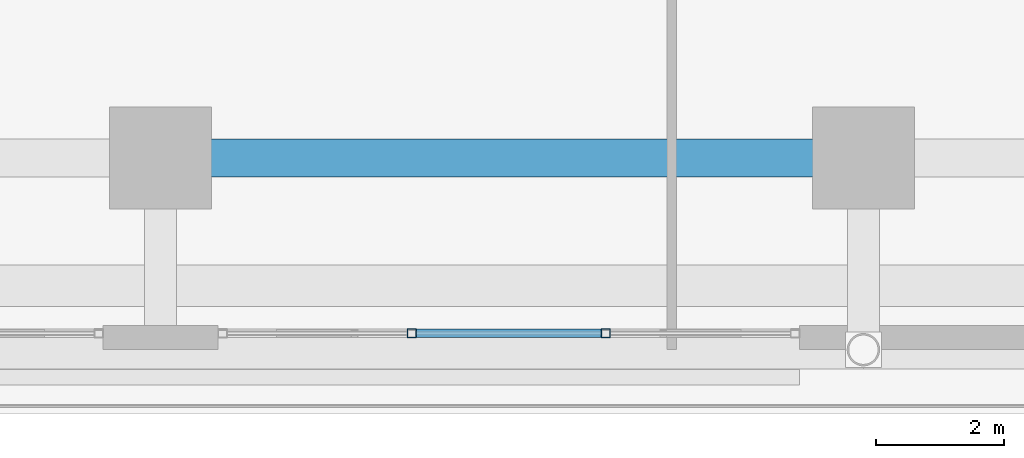
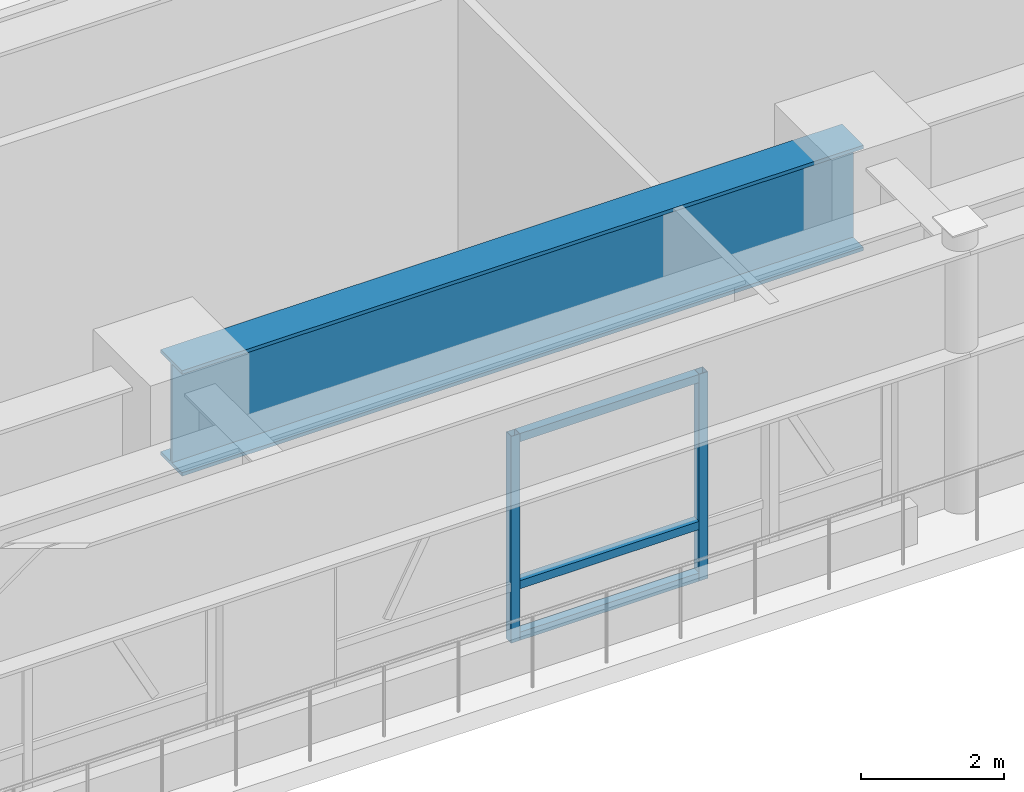
# One storey, part 14 of 38: 5 members, 1 beam, 1 element without a shape of its own.
"""IFC4 building model written with IfcOpenShell, lengths in metres."""

from ifc_helpers import new_model, si_unit, direction, frame, origin, origin_2d, place, context, subcontext, project, spatial, hollow_rectangle, i_section, extrude, source, transform, mapped, material, material_profile, profile_set, type_object, element, aggregate, save


model = new_model("IFC4")

# Units and contexts
model_context = context("Model", 3, precision=1e-05, world=origin(), true_north=direction((0.0, 1.0)))
body_context = subcontext(model_context, "Body", "Model", "MODEL_VIEW")
ifc_project = project(units=[si_unit("LENGTHUNIT", "METRE"), si_unit("AREAUNIT", "SQUARE_METRE"), si_unit("VOLUMEUNIT", "CUBIC_METRE"), si_unit("PLANEANGLEUNIT", "RADIAN"), si_unit("MASSUNIT", "GRAM", prefix="KILO")], contexts=[model_context])

# Site, building, storey
site_placement = place(None, origin())
site = spatial("IfcSite", under=ifc_project, at=site_placement, CompositionType="ELEMENT")
building_placement = place(site_placement, origin())
building = spatial("IfcBuilding", under=site, at=building_placement, Name="Khorayat Bourse Tower", CompositionType="ELEMENT")
storey_placement = place(building_placement, frame((0.0, 0.0, 17.39990234375)))
storey = spatial("IfcBuildingStorey", under=building, at=storey_placement, Name="L03", CompositionType="ELEMENT", Elevation=17.39990234375)

# Beam
ifc_material_1 = material(Name="Steel EN 10025-4 S460M", Category="steel")
ifc_material_profile_1 = material_profile(ifc_material_1, i_section(OverallWidth=0.60009765625, OverallDepth=1.800048828125, WebThickness=0.031982421875, FlangeThickness=0.06005859375, at=origin_2d()), Name="PG 1800x600x32x60")
ifc_profile_set_1 = profile_set([ifc_material_profile_1], Name="Steel EN 10025-4 S460M")
beam_type = type_object("IfcBeamType", Name="BM-TR-1800", PredefinedType="BEAM", material=ifc_profile_set_1)
shared_shape_1 = source(origin(), body_context, "Body", "SweptSolid", [
    extrude(i_section(OverallWidth=0.60009765625, OverallDepth=1.800048828125, WebThickness=0.031982421875, FlangeThickness=0.06005859375, at=origin_2d()), origin(), (0.0, 0.0, 1.0), 11.0),
])
beam_placement = place(storey_placement, frame((0.0, -32.0, 3.580078125), z_axis=(1.0, 0.0, 0.0), x_axis=(0.0, 1.0, 0.0)))
element("IfcBeam", 1, at=beam_placement, inside=storey, type_object=beam_type, Name="L03 BM-TR-1800 BM-L03-PGX-040", PredefinedType="BEAM", context=body_context, shape_type="MappedRepresentation", body=[
    mapped(shared_shape_1, transform((0.0, 0.0, 0.0), scale=1.0)),
])

# Curtain wall, members
ifc_material_2 = material(Name="Aluminium EN AW-6063 T6", Category="aluminium")
curtain_wall_type = type_object("IfcCurtainWallType", Name="CW-SYS-01", PredefinedType="NOTDEFINED", material=ifc_material_2)
curtain_wall_placement = place(storey_placement, origin())
curtain_wall = element("IfcCurtainWall", 2, at=curtain_wall_placement, inside=storey, type_object=curtain_wall_type, Name="L03 Curtain Wall CW-L03-SE", PredefinedType="NOTDEFINED")
ifc_material_profile_2 = material_profile(ifc_material_2, hollow_rectangle(XDim=0.139892578125, YDim=0.139892578125, WallThickness=0.006103515625, at=origin_2d()), Name="ALU 140x140x6")
ifc_profile_set_2 = profile_set([ifc_material_profile_2], Name="Aluminium EN AW-6063 T6")
member_type_1 = type_object("IfcMemberType", Name="CWT-HORZ-140", PredefinedType="USERDEFINED", material=ifc_profile_set_2)
shared_shape_2 = source(origin(), body_context, "Body", "SweptSolid", [
    extrude(hollow_rectangle(XDim=0.139892578125, YDim=0.139892578125, WallThickness=0.006103515625, at=origin_2d()), origin(), (0.0, 0.0, 1.0), 2.893310546875),
])
member_1_placement = place(storey_placement, frame((4.00341796875, -34.742919921875, 0.070068359375), z_axis=(1.0, 0.0, 0.0), x_axis=(0.0, 1.0, 0.0)))
member_1 = element("IfcMember", 3, at=member_1_placement, type_object=member_type_1, Name="CW-L03-SE Horizontal Transom 2-1", ObjectType="TRANSOM", PredefinedType="USERDEFINED", context=body_context, shape_type="MappedRepresentation", body=[
    mapped(shared_shape_2, transform((0.0, 0.0, 0.0), scale=1.0)),
])
member_2_placement = place(storey_placement, frame((4.00341796875, -34.742919921875, 0.9501953125), z_axis=(1.0, 0.0, 0.0), x_axis=(0.0, 1.0, 0.0)))
member_2 = element("IfcMember", 4, at=member_2_placement, type_object=member_type_1, Name="CW-L03-SE Horizontal Transom 2-2", ObjectType="TRANSOM", PredefinedType="USERDEFINED", context=body_context, shape_type="MappedRepresentation", body=[
    mapped(shared_shape_2, transform((0.0, 0.0, 0.0), scale=1.0)),
])
member_3_placement = place(storey_placement, frame((4.00341796875, -34.742919921875, 3.460205078125), z_axis=(1.0, 0.0, 0.0), x_axis=(0.0, 1.0, 0.0)))
member_3 = element("IfcMember", 5, at=member_3_placement, type_object=member_type_1, Name="CW-L03-SE Horizontal Transom 2-3", ObjectType="TRANSOM", PredefinedType="USERDEFINED", context=body_context, shape_type="MappedRepresentation", body=[
    mapped(shared_shape_2, transform((0.0, 0.0, 0.0), scale=1.0)),
])
ifc_material_profile_3 = material_profile(ifc_material_2, hollow_rectangle(XDim=0.139892578125, YDim=0.139892578125, WallThickness=0.006103515625, at=origin_2d()), Name="ALU 140x140x6")
ifc_profile_set_3 = profile_set([ifc_material_profile_3], Name="Aluminium EN AW-6063 T6")
member_type_2 = type_object("IfcMemberType", Name="CWM-VERT-140", PredefinedType="MULLION", material=ifc_profile_set_3)
shared_shape_3 = source(origin(), body_context, "Body", "SweptSolid", [
    extrude(hollow_rectangle(XDim=0.139892578125, YDim=0.139892578125, WallThickness=0.006103515625, at=origin_2d()), origin(), (0.0, 0.0, 1.0), 3.530029296875),
])
member_4_placement = place(storey_placement, frame((3.933349609375, -34.742919921875, 0.0), z_axis=(0.0, 0.0, 1.0), x_axis=(0.0, 1.0, 0.0)))
member_4 = element("IfcMember", 6, at=member_4_placement, type_object=member_type_2, Name="CW-L03-SE Vertical Mullion 2", PredefinedType="MULLION", context=body_context, shape_type="MappedRepresentation", body=[
    mapped(shared_shape_3, transform((0.0, 0.0, 0.0), scale=1.0)),
])
member_5_placement = place(storey_placement, frame((6.966552734375, -34.742919921875, 0.0), z_axis=(0.0, 0.0, 1.0), x_axis=(0.0, 1.0, 0.0)))
member_5 = element("IfcMember", 7, at=member_5_placement, type_object=member_type_2, Name="CW-L03-SE Vertical Mullion 3", PredefinedType="MULLION", context=body_context, shape_type="MappedRepresentation", body=[
    mapped(shared_shape_3, transform((0.0, 0.0, 0.0), scale=1.0)),
])
aggregate(curtain_wall, [member_4, member_5, member_1, member_2, member_3])

save(model, "model.ifc")
